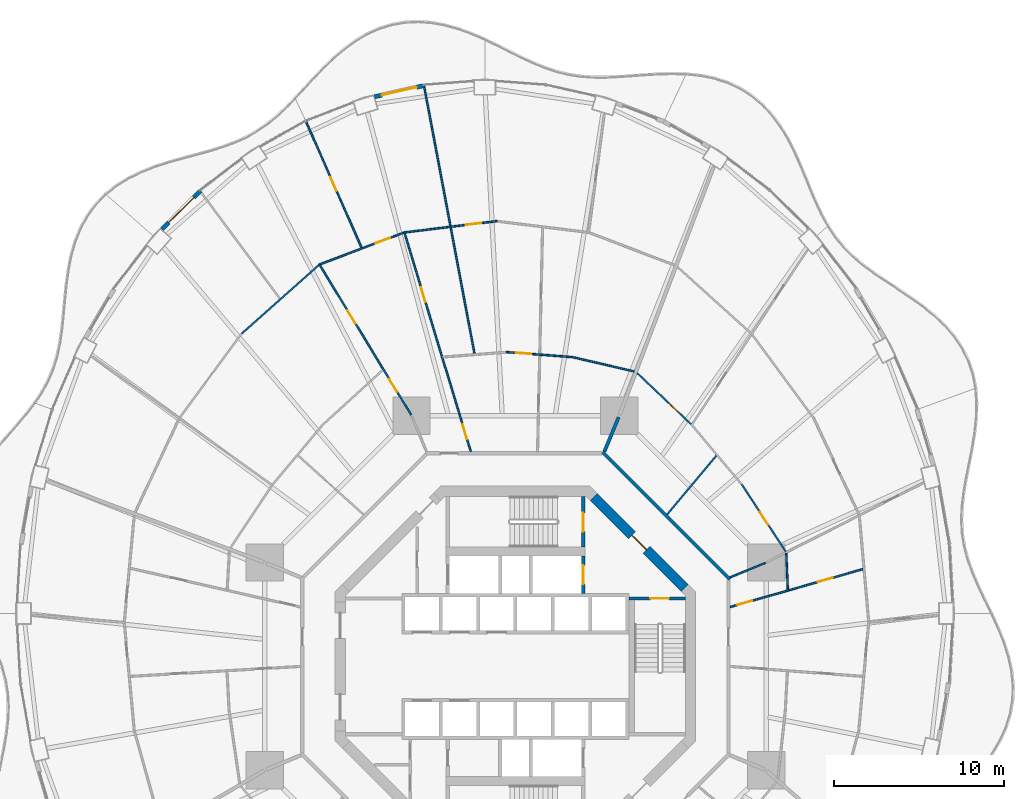
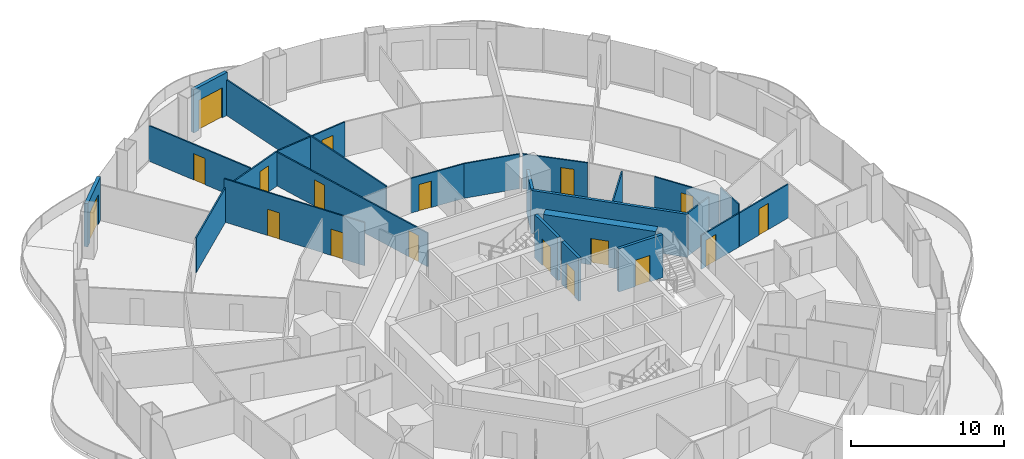
# One storey, part 18 of 22: 23 walls, 18 doors, 18 openings.
"""IFC4 building model written with IfcOpenShell, lengths in metres."""

from ifc_helpers import new_model, si_unit, direction, frame, frame_2d, origin, place, context, subcontext, project, spatial, rectangle, extrude, material, layer, layer_set, type_object, element, fill, save


model = new_model("IFC4")

# Units and contexts
model_context = context("Model", 3, precision=1e-05, world=origin(), true_north=direction((0.0, 1.0)))
body_context = subcontext(model_context, "Body", "Model", "MODEL_VIEW")
ifc_project = project(units=[si_unit("LENGTHUNIT", "METRE"), si_unit("AREAUNIT", "SQUARE_METRE"), si_unit("VOLUMEUNIT", "CUBIC_METRE"), si_unit("PLANEANGLEUNIT", "RADIAN"), si_unit("MASSUNIT", "GRAM", prefix="KILO")], contexts=[model_context])

# Site, building, storey
site_placement = place(None, origin())
site = spatial("IfcSite", under=ifc_project, at=site_placement, CompositionType="ELEMENT")
building_placement = place(site_placement, origin())
building = spatial("IfcBuilding", under=site, at=building_placement, Name="Nagisa Residences", CompositionType="ELEMENT")
storey_placement = place(building_placement, frame((0.0, 0.0, 84.39990234375)))
storey = spatial("IfcBuildingStorey", under=building, at=storey_placement, Name="L20", CompositionType="ELEMENT", Elevation=84.39990234375)

# Walls
ifc_material_1 = material(Name="Gypsum board on steel studs", Category="steel")
ifc_layer_1 = layer(ifc_material_1, 0.199951171875)
ifc_layer_set_1 = layer_set([ifc_layer_1], Name="Apartment compartment wall EI60 200")
wall_type_1 = type_object("IfcWallType", Name="Apartment compartment wall EI60 200", PredefinedType="PARTITIONING", material=ifc_layer_set_1)
wall_1_placement = place(storey_placement, frame((5.24267578125, 12.6572265625, 0.0), z_axis=(0.0, 0.0, 1.0), x_axis=(0.382724096228, 0.923862687939, 0.0)))
element("IfcWall", 1, at=wall_1_placement, inside=storey, type_object=wall_type_1, Name="wall:L20:u00", PredefinedType="PARTITIONING", context=body_context, shape_type="SweptSolid", body=[
    extrude(rectangle(XDim=2.20068359375, YDim=0.199951171875, at=frame_2d((1.100341796875, 0.0))), origin(), (0.0, 0.0, 1.0), 3.440185546875),
])
ifc_material_2 = material(Name="Gypsum board on steel studs", Category="steel")
ifc_layer_2 = layer(ifc_material_2, 0.199951171875)
ifc_layer_set_2 = layer_set([ifc_layer_2], Name="Apartment entry wall EI60 200")
wall_type_2 = type_object("IfcWallType", Name="Apartment entry wall EI60 200", PredefinedType="PARTITIONING", material=ifc_layer_set_2)
wall_2_placement = place(storey_placement, frame((12.635498046875, 5.1337890625, 0.0), z_axis=(0.0, 0.0, 1.0), x_axis=(-0.707106781187, 0.707106781187, 0.0)))
element("IfcWall", 2, at=wall_2_placement, inside=storey, type_object=wall_type_2, Name="wall:L20:u11", PredefinedType="PARTITIONING", context=body_context, shape_type="SweptSolid", body=[
    extrude(rectangle(XDim=10.609130859375, YDim=0.199951171875, at=frame_2d((5.3046875, 0.0))), origin(), (0.0, 0.0, 1.0), 3.440185546875),
])

# Wall, openings, doors
ifc_material_3 = material(Name="Gypsum board on steel studs", Category="steel")
ifc_layer_3 = layer(ifc_material_3, 0.10009765625)
ifc_layer_set_3 = layer_set([ifc_layer_3], Name="Apartment partition 100")
wall_type_3 = type_object("IfcWallType", Name="Apartment partition 100", PredefinedType="PARTITIONING", material=ifc_layer_set_3)
wall_3_placement = place(storey_placement, frame((12.660888671875, 3.4970703125, 0.0), z_axis=(0.0, 0.0, 1.0), x_axis=(0.961626678623, 0.274361314621, 0.0)))
wall_3 = element("IfcWall", 3, at=wall_3_placement, inside=storey, type_object=wall_type_3, Name="wall:L20:u21", PredefinedType="PARTITIONING", context=body_context, shape_type="SweptSolid", body=[
    extrude(rectangle(XDim=8.155517578125, YDim=0.10009765625, at=frame_2d((4.07763671875, 0.0))), origin(), (0.0, 0.0, 1.0), 2.68701171875),
])
opening_1_placement = place(wall_3_placement, frame((0.4462890625, 0.0, 0.0)))
opening_1 = element("IfcOpeningElement", 4, at=opening_1_placement, cuts=wall_3, Name="Opening L20-U46", PredefinedType="OPENING", context=body_context, shape_type="SweptSolid", body=[
    extrude(rectangle(XDim=0.89990234375, YDim=2.10009765625, at=frame_2d((0.449951171875, 1.050048828125))), frame((0.0, 0.06005859375, 0.0), z_axis=(0.0, -1.0, 0.0), x_axis=(1.0, 0.0, 0.0)), (0.0, 0.0, 1.0), 0.1201171875),
])
opening_2_placement = place(wall_3_placement, frame((5.39013671875, 0.0, 0.0)))
opening_2 = element("IfcOpeningElement", 5, at=opening_2_placement, cuts=wall_3, Name="Opening L20-U48", PredefinedType="OPENING", context=body_context, shape_type="SweptSolid", body=[
    extrude(rectangle(XDim=0.89990234375, YDim=2.10009765625, at=frame_2d((0.449951171875, 1.050048828125))), frame((0.0, 0.06005859375, 0.0), z_axis=(0.0, -1.0, 0.0), x_axis=(1.0, 0.0, 0.0)), (0.0, 0.0, 1.0), 0.1201171875),
])
ifc_material_4 = material(Name="Timber door set", Category="wood")
door_type_1 = type_object("IfcDoorType", Name="Apartment door 900x2100", OperationType="NOTDEFINED", PredefinedType="DOOR", material=ifc_material_4)
door_1_placement = place(opening_1_placement, origin())
door_1 = element("IfcDoor", 6, at=door_1_placement, inside=storey, type_object=door_type_1, Name="Door to family bathroom, Apartment 20E", OperationType="SINGLE_SWING_RIGHT", OverallHeight=2.10009765625, OverallWidth=0.89990234375, PredefinedType="DOOR", context=body_context, shape_type="SweptSolid", body=[
    extrude(rectangle(XDim=0.89990234375, YDim=2.10009765625, at=frame_2d((0.449951171875, 1.050048828125))), frame((0.0, 0.02490234375, 0.0), z_axis=(0.0, -1.0, 0.0), x_axis=(1.0, 0.0, 0.0)), (0.0, 0.0, 1.0), 0.050048828125),
])
fill(opening_1, door_1)
door_2_placement = place(opening_2_placement, origin())
door_2 = element("IfcDoor", 7, at=door_2_placement, inside=storey, type_object=door_type_1, Name="Door to family bathroom, Apartment 20E", OperationType="SINGLE_SWING_RIGHT", OverallHeight=2.10009765625, OverallWidth=0.89990234375, PredefinedType="DOOR", context=body_context, shape_type="SweptSolid", body=[
    extrude(rectangle(XDim=0.89990234375, YDim=2.10009765625, at=frame_2d((0.449951171875, 1.050048828125))), frame((0.0, 0.02490234375, 0.0), z_axis=(0.0, -1.0, 0.0), x_axis=(1.0, 0.0, 0.0)), (0.0, 0.0, 1.0), 0.050048828125),
])
fill(opening_2, door_2)

# Walls
wall_4_placement = place(storey_placement, frame((16.064453125, 4.4150390625, 0.0), z_axis=(0.0, 0.0, 1.0), x_axis=(-0.043118325477, 0.999069972528, 0.0)))
element("IfcWall", 8, at=wall_4_placement, inside=storey, type_object=wall_type_3, Name="wall:L20:u22", PredefinedType="PARTITIONING", context=body_context, shape_type="SweptSolid", body=[
    extrude(rectangle(XDim=2.25927734375, YDim=0.10009765625, at=frame_2d((1.129638671875, 0.0))), origin(), (0.0, 0.0, 1.0), 3.440185546875),
])
wall_5_placement = place(storey_placement, frame((12.6572265625, 5.24267578125, 0.0), z_axis=(0.0, 0.0, 1.0), x_axis=(0.923848837015, 0.382757529444, 0.0)))
element("IfcWall", 9, at=wall_5_placement, inside=storey, type_object=wall_type_3, Name="wall:L20:u23", PredefinedType="PARTITIONING", context=body_context, shape_type="SweptSolid", body=[
    extrude(rectangle(XDim=2.249755859375, YDim=0.10009765625, at=frame_2d((1.125, 0.0))), origin(), (0.0, 0.0, 1.0), 3.440185546875),
])

# Wall, opening, door
wall_6_placement = place(storey_placement, frame((15.9375, 6.763916015625, 0.0), z_axis=(0.0, 0.0, 1.0), x_axis=(-0.547472878942, 0.836823426311, 0.0)))
wall_6 = element("IfcWall", 10, at=wall_6_placement, inside=storey, type_object=wall_type_3, Name="wall:L20:u25", PredefinedType="PARTITIONING", context=body_context, shape_type="SweptSolid", body=[
    extrude(rectangle(XDim=4.73779296875, YDim=0.10009765625, at=frame_2d((2.368896484375, 0.0))), origin(), (0.0, 0.0, 1.0), 2.76220703125),
])
opening_3_placement = place(wall_6_placement, frame((1.893798828125, 0.0, 0.0)))
opening_3 = element("IfcOpeningElement", 11, at=opening_3_placement, cuts=wall_6, Name="Opening L20-U55", PredefinedType="OPENING", context=body_context, shape_type="SweptSolid", body=[
    extrude(rectangle(XDim=0.89990234375, YDim=2.10009765625, at=frame_2d((0.449951171875, 1.050048828125))), frame((0.0, 0.06005859375, 0.0), z_axis=(0.0, -1.0, 0.0), x_axis=(1.0, 0.0, 0.0)), (0.0, 0.0, 1.0), 0.1201171875),
])
door_3_placement = place(opening_3_placement, origin())
door_3 = element("IfcDoor", 12, at=door_3_placement, inside=storey, type_object=door_type_1, Name="Door to store, Apartment 20E", OperationType="SINGLE_SWING_LEFT", OverallHeight=2.10009765625, OverallWidth=0.89990234375, PredefinedType="DOOR", context=body_context, shape_type="SweptSolid", body=[
    extrude(rectangle(XDim=0.89990234375, YDim=2.10009765625, at=frame_2d((0.449951171875, 1.050048828125))), frame((0.0, 0.02490234375, 0.0), z_axis=(0.0, -1.0, 0.0), x_axis=(1.0, 0.0, 0.0)), (0.0, 0.0, 1.0), 0.050048828125),
])
fill(opening_3, door_3)

# Wall
wall_7_placement = place(storey_placement, frame((8.94873046875, 8.961181640625, 0.0), z_axis=(0.0, 0.0, 1.0), x_axis=(0.642048217601, 0.766664259162, 0.0)))
element("IfcWall", 13, at=wall_7_placement, inside=storey, type_object=wall_type_3, Name="wall:L20:u29", PredefinedType="PARTITIONING", context=body_context, shape_type="SweptSolid", body=[
    extrude(rectangle(XDim=4.517822265625, YDim=0.10009765625, at=frame_2d((2.2587890625, 0.0))), origin(), (0.0, 0.0, 1.0), 2.68701171875),
])

# Wall, opening, door
wall_8_placement = place(storey_placement, frame((10.35546875, 14.274169921875, 0.0), z_axis=(0.0, 0.0, 1.0), x_axis=(-0.725206433622, 0.688531501555, 0.0)))
wall_8 = element("IfcWall", 14, at=wall_8_placement, inside=storey, type_object=wall_type_3, Name="wall:L20:u31", PredefinedType="PARTITIONING", context=body_context, shape_type="SweptSolid", body=[
    extrude(rectangle(XDim=4.386962890625, YDim=0.10009765625, at=frame_2d((2.193359375, 0.0))), origin(), (0.0, 0.0, 1.0), 2.76220703125),
])
opening_4_placement = place(wall_8_placement, frame((0.907470703125, 0.0, 0.0)))
opening_4 = element("IfcOpeningElement", 15, at=opening_4_placement, cuts=wall_8, Name="Opening L20-U56", PredefinedType="OPENING", context=body_context, shape_type="SweptSolid", body=[
    extrude(rectangle(XDim=0.89990234375, YDim=2.10009765625, at=frame_2d((0.449951171875, 1.050048828125))), frame((0.0, 0.06005859375, 0.0), z_axis=(0.0, -1.0, 0.0), x_axis=(1.0, 0.0, 0.0)), (0.0, 0.0, 1.0), 0.1201171875),
])
door_4_placement = place(opening_4_placement, origin())
door_4 = element("IfcDoor", 16, at=door_4_placement, inside=storey, type_object=door_type_1, Name="Door to laundry, Apartment 20E", OperationType="SINGLE_SWING_RIGHT", OverallHeight=2.10009765625, OverallWidth=0.89990234375, PredefinedType="DOOR", context=body_context, shape_type="SweptSolid", body=[
    extrude(rectangle(XDim=0.89990234375, YDim=2.10009765625, at=frame_2d((0.449951171875, 1.050048828125))), frame((0.0, 0.02490234375, 0.0), z_axis=(0.0, -1.0, 0.0), x_axis=(1.0, 0.0, 0.0)), (0.0, 0.0, 1.0), 0.050048828125),
])
fill(opening_4, door_4)

# Wall
wall_9_placement = place(storey_placement, frame((7.004150390625, 17.385986328125, 0.0), z_axis=(0.0, 0.0, 1.0), x_axis=(-0.974179728512, 0.225773905837, 0.0)))
element("IfcWall", 17, at=wall_9_placement, inside=storey, type_object=wall_type_3, Name="wall:L20:u33", PredefinedType="PARTITIONING", context=body_context, shape_type="SweptSolid", body=[
    extrude(rectangle(XDim=3.802001953125, YDim=0.10009765625, at=frame_2d((1.90087890625, 0.0))), origin(), (0.0, 0.0, 1.0), 2.76220703125),
])

# Wall, opening, door
wall_10_placement = place(storey_placement, frame((3.299072265625, 18.23681640625, 0.0), z_axis=(0.0, 0.0, 1.0), x_axis=(-0.997152243414, 0.075414875552, 0.0)))
wall_10 = element("IfcWall", 18, at=wall_10_placement, inside=storey, type_object=wall_type_3, Name="wall:L20:u35", PredefinedType="PARTITIONING", context=body_context, shape_type="SweptSolid", body=[
    extrude(rectangle(XDim=3.845947265625, YDim=0.10009765625, at=frame_2d((1.9228515625, 0.0))), origin(), (0.0, 0.0, 1.0), 2.76220703125),
])
opening_5_placement = place(wall_10_placement, frame((2.384521484375, 0.0, 0.0)))
opening_5 = element("IfcOpeningElement", 19, at=opening_5_placement, cuts=wall_10, Name="Opening L20-U05", PredefinedType="OPENING", context=body_context, shape_type="SweptSolid", body=[
    extrude(rectangle(XDim=0.89990234375, YDim=2.10009765625, at=frame_2d((0.449951171875, 1.050048828125))), frame((0.0, 0.06005859375, 0.0), z_axis=(0.0, -1.0, 0.0), x_axis=(1.0, 0.0, 0.0)), (0.0, 0.0, 1.0), 0.1201171875),
])
door_5_placement = place(opening_5_placement, frame((0.89990234375, 0.0, 0.0), x_axis=(-1.0, 0.0, 0.0)))
door_5 = element("IfcDoor", 20, at=door_5_placement, inside=storey, type_object=door_type_1, Name="Door to kitchen, Apartment 20A", OperationType="SINGLE_SWING_RIGHT", OverallHeight=2.10009765625, OverallWidth=0.89990234375, PredefinedType="DOOR", context=body_context, shape_type="SweptSolid", body=[
    extrude(rectangle(XDim=0.89990234375, YDim=2.10009765625, at=frame_2d((0.449951171875, 1.050048828125))), frame((0.0, 0.02490234375, 0.0), z_axis=(0.0, -1.0, 0.0), x_axis=(1.0, 0.0, 0.0)), (0.0, 0.0, 1.0), 0.050048828125),
])
fill(opening_5, door_5)

wall_11_placement = place(storey_placement, frame((-1.06640625, 26.2529296875, 0.0), z_axis=(0.0, 0.0, 1.0), x_axis=(-0.992574853421, -0.121635358166, 0.0)))
wall_11 = element("IfcWall", 21, at=wall_11_placement, inside=storey, type_object=wall_type_3, Name="wall:L20:u40", PredefinedType="PARTITIONING", context=body_context, shape_type="SweptSolid", body=[
    extrude(rectangle(XDim=5.473388671875, YDim=0.10009765625, at=frame_2d((2.73681640625, 0.0))), origin(), (0.0, 0.0, 1.0), 2.76220703125),
])
opening_6_placement = place(wall_11_placement, frame((0.968505859375, 0.0, 0.0)))
opening_6 = element("IfcOpeningElement", 22, at=opening_6_placement, cuts=wall_11, Name="Opening L20-U09", PredefinedType="OPENING", context=body_context, shape_type="SweptSolid", body=[
    extrude(rectangle(XDim=0.89990234375, YDim=2.10009765625, at=frame_2d((0.449951171875, 1.050048828125))), frame((0.0, 0.06005859375, 0.0), z_axis=(0.0, -1.0, 0.0), x_axis=(1.0, 0.0, 0.0)), (0.0, 0.0, 1.0), 0.1201171875),
])
door_6_placement = place(opening_6_placement, frame((0.89990234375, 0.0, 0.0), x_axis=(-1.0, 0.0, 0.0)))
door_6 = element("IfcDoor", 23, at=door_6_placement, inside=storey, type_object=door_type_1, Name="Door to dining room, Apartment 20A", OperationType="SINGLE_SWING_RIGHT", OverallHeight=2.10009765625, OverallWidth=0.89990234375, PredefinedType="DOOR", context=body_context, shape_type="SweptSolid", body=[
    extrude(rectangle(XDim=0.89990234375, YDim=2.10009765625, at=frame_2d((0.449951171875, 1.050048828125))), frame((0.0, 0.02490234375, 0.0), z_axis=(0.0, -1.0, 0.0), x_axis=(1.0, 0.0, 0.0)), (0.0, 0.0, 1.0), 0.050048828125),
])
fill(opening_6, door_6)

# Wall
wall_12_placement = place(storey_placement, frame((-2.412841796875, 18.42724609375, 0.0), z_axis=(0.0, 0.0, 1.0), x_axis=(-0.185126823719, 0.982714637695, 0.0)))
element("IfcWall", 24, at=wall_12_placement, inside=storey, type_object=wall_type_3, Name="wall:L20:u41", PredefinedType="PARTITIONING", context=body_context, shape_type="SweptSolid", body=[
    extrude(rectangle(XDim=16.176025390625, YDim=0.10009765625, at=frame_2d((8.087890625, 0.0))), origin(), (0.0, 0.0, 1.0), 2.837158203125),
])

# Wall, openings, doors
wall_13_placement = place(storey_placement, frame((-2.63134765625, 12.660400390625, 0.0), z_axis=(0.0, 0.0, 1.0), x_axis=(-0.290161396499, 0.956977723869, 0.0)))
wall_13 = element("IfcWall", 25, at=wall_13_placement, inside=storey, type_object=wall_type_3, Name="wall:L20:u42", PredefinedType="PARTITIONING", context=body_context, shape_type="SweptSolid", body=[
    extrude(rectangle(XDim=13.551513671875, YDim=0.10009765625, at=frame_2d((6.77587890625, 0.0))), origin(), (0.0, 0.0, 1.0), 2.68701171875),
])
opening_7_placement = place(wall_13_placement, frame((0.772216796875, 0.0, 0.0)))
opening_7 = element("IfcOpeningElement", 26, at=opening_7_placement, cuts=wall_13, Name="Opening L20-U02", PredefinedType="OPENING", context=body_context, shape_type="SweptSolid", body=[
    extrude(rectangle(XDim=0.89990234375, YDim=2.10009765625, at=frame_2d((0.449951171875, 1.050048828125))), frame((0.0, 0.06005859375, 0.0), z_axis=(0.0, -1.0, 0.0), x_axis=(1.0, 0.0, 0.0)), (0.0, 0.0, 1.0), 0.1201171875),
])
opening_8_placement = place(wall_13_placement, frame((9.21240234375, 0.0, 0.0)))
opening_8 = element("IfcOpeningElement", 27, at=opening_8_placement, cuts=wall_13, Name="Opening L20-U06", PredefinedType="OPENING", context=body_context, shape_type="SweptSolid", body=[
    extrude(rectangle(XDim=0.89990234375, YDim=2.10009765625, at=frame_2d((0.449951171875, 1.050048828125))), frame((0.0, 0.06005859375, 0.0), z_axis=(0.0, -1.0, 0.0), x_axis=(1.0, 0.0, 0.0)), (0.0, 0.0, 1.0), 0.1201171875),
])
door_7_placement = place(opening_7_placement, frame((0.89990234375, 0.0, 0.0), x_axis=(-1.0, 0.0, 0.0)))
door_7 = element("IfcDoor", 28, at=door_7_placement, inside=storey, type_object=door_type_1, Name="Door to store, Apartment 20A", OperationType="SINGLE_SWING_LEFT", OverallHeight=2.10009765625, OverallWidth=0.89990234375, PredefinedType="DOOR", context=body_context, shape_type="SweptSolid", body=[
    extrude(rectangle(XDim=0.89990234375, YDim=2.10009765625, at=frame_2d((0.449951171875, 1.050048828125))), frame((0.0, 0.02490234375, 0.0), z_axis=(0.0, -1.0, 0.0), x_axis=(1.0, 0.0, 0.0)), (0.0, 0.0, 1.0), 0.050048828125),
])
fill(opening_7, door_7)
door_8_placement = place(opening_8_placement, frame((0.89990234375, 0.0, 0.0), x_axis=(-1.0, 0.0, 0.0)))
door_8 = element("IfcDoor", 29, at=door_8_placement, inside=storey, type_object=door_type_1, Name="Door to family bathroom, Apartment 20A", OperationType="SINGLE_SWING_LEFT", OverallHeight=2.10009765625, OverallWidth=0.89990234375, PredefinedType="DOOR", context=body_context, shape_type="SweptSolid", body=[
    extrude(rectangle(XDim=0.89990234375, YDim=2.10009765625, at=frame_2d((0.449951171875, 1.050048828125))), frame((0.0, 0.02490234375, 0.0), z_axis=(0.0, -1.0, 0.0), x_axis=(1.0, 0.0, 0.0)), (0.0, 0.0, 1.0), 0.050048828125),
])
fill(opening_8, door_8)

# Wall, opening, door
wall_14_placement = place(storey_placement, frame((-6.595703125, 25.5634765625, 0.0), z_axis=(0.0, 0.0, 1.0), x_axis=(-0.9356162121, -0.353018843201, 0.0)))
wall_14 = element("IfcWall", 30, at=wall_14_placement, inside=storey, type_object=wall_type_3, Name="wall:L20:u43", PredefinedType="PARTITIONING", context=body_context, shape_type="SweptSolid", body=[
    extrude(rectangle(XDim=5.2490234375, YDim=0.10009765625, at=frame_2d((2.62451171875, 0.0))), origin(), (0.0, 0.0, 1.0), 2.76220703125),
])
opening_9_placement = place(wall_14_placement, frame((0.8623046875, 0.0, 0.0)))
opening_9 = element("IfcOpeningElement", 31, at=opening_9_placement, cuts=wall_14, Name="Opening L20-U10", PredefinedType="OPENING", context=body_context, shape_type="SweptSolid", body=[
    extrude(rectangle(XDim=0.89990234375, YDim=2.10009765625, at=frame_2d((0.449951171875, 1.050048828125))), frame((0.0, 0.06005859375, 0.0), z_axis=(0.0, -1.0, 0.0), x_axis=(1.0, 0.0, 0.0)), (0.0, 0.0, 1.0), 0.1201171875),
])
door_9_placement = place(opening_9_placement, frame((0.89990234375, 0.0, 0.0), x_axis=(-1.0, 0.0, 0.0)))
door_9 = element("IfcDoor", 32, at=door_9_placement, inside=storey, type_object=door_type_1, Name="Door to living room, Apartment 20A", OperationType="SINGLE_SWING_LEFT", OverallHeight=2.10009765625, OverallWidth=0.89990234375, PredefinedType="DOOR", context=body_context, shape_type="SweptSolid", body=[
    extrude(rectangle(XDim=0.89990234375, YDim=2.10009765625, at=frame_2d((0.449951171875, 1.050048828125))), frame((0.0, 0.02490234375, 0.0), z_axis=(0.0, -1.0, 0.0), x_axis=(1.0, 0.0, 0.0)), (0.0, 0.0, 1.0), 0.050048828125),
])
fill(opening_9, door_9)

wall_15_placement = place(storey_placement, frame((-9.071533203125, 24.682861328125, 0.0), z_axis=(0.0, 0.0, 1.0), x_axis=(-0.403192911159, 0.915115007194, 0.0)))
wall_15 = element("IfcWall", 33, at=wall_15_placement, inside=storey, type_object=wall_type_3, Name="wall:L20:u44", PredefinedType="PARTITIONING", context=body_context, shape_type="SweptSolid", body=[
    extrude(rectangle(XDim=8.21142578125, YDim=0.10009765625, at=frame_2d((4.105712890625, 0.0))), origin(), (0.0, 0.0, 1.0), 2.837158203125),
])
opening_10_placement = place(wall_15_placement, frame((3.65576171875, 0.0, 0.0)))
opening_10 = element("IfcOpeningElement", 34, at=opening_10_placement, cuts=wall_15, Name="Opening L20-U11", PredefinedType="OPENING", context=body_context, shape_type="SweptSolid", body=[
    extrude(rectangle(XDim=0.89990234375, YDim=2.10009765625, at=frame_2d((0.449951171875, 1.050048828125))), frame((0.0, 0.06005859375, 0.0), z_axis=(0.0, -1.0, 0.0), x_axis=(1.0, 0.0, 0.0)), (0.0, 0.0, 1.0), 0.1201171875),
])
door_10_placement = place(opening_10_placement, origin())
door_10 = element("IfcDoor", 35, at=door_10_placement, inside=storey, type_object=door_type_1, Name="Door to master bedroom, Apartment 20A", OperationType="SINGLE_SWING_LEFT", OverallHeight=2.10009765625, OverallWidth=0.89990234375, PredefinedType="DOOR", context=body_context, shape_type="SweptSolid", body=[
    extrude(rectangle(XDim=0.89990234375, YDim=2.10009765625, at=frame_2d((0.449951171875, 1.050048828125))), frame((0.0, 0.02490234375, 0.0), z_axis=(0.0, -1.0, 0.0), x_axis=(1.0, 0.0, 0.0)), (0.0, 0.0, 1.0), 0.050048828125),
])
fill(opening_10, door_10)

# Wall, openings, doors
wall_16_placement = place(storey_placement, frame((-6.14892578125, 14.82470703125, 0.0), z_axis=(0.0, 0.0, 1.0), x_axis=(-0.520411490252, 0.853915616917, 0.0)))
wall_16 = element("IfcWall", 36, at=wall_16_placement, inside=storey, type_object=wall_type_3, Name="wall:L20:u46", PredefinedType="PARTITIONING", context=body_context, shape_type="SweptSolid", body=[
    extrude(rectangle(XDim=10.435302734375, YDim=0.10009765625, at=frame_2d((5.2177734375, 0.0))), origin(), (0.0, 0.0, 1.0), 3.440185546875),
])
opening_11_placement = place(wall_16_placement, frame((1.58154296875, 0.0, 0.0)))
opening_11 = element("IfcOpeningElement", 37, at=opening_11_placement, cuts=wall_16, Name="Opening L20-U03", PredefinedType="OPENING", context=body_context, shape_type="SweptSolid", body=[
    extrude(rectangle(XDim=0.89990234375, YDim=2.10009765625, at=frame_2d((0.449951171875, 1.050048828125))), frame((0.0, 0.06005859375, 0.0), z_axis=(0.0, -1.0, 0.0), x_axis=(1.0, 0.0, 0.0)), (0.0, 0.0, 1.0), 0.1201171875),
])
opening_12_placement = place(wall_16_placement, frame((6.3125, 0.0, 0.0)))
opening_12 = element("IfcOpeningElement", 38, at=opening_12_placement, cuts=wall_16, Name="Opening L20-U07", PredefinedType="OPENING", context=body_context, shape_type="SweptSolid", body=[
    extrude(rectangle(XDim=0.89990234375, YDim=2.10009765625, at=frame_2d((0.449951171875, 1.050048828125))), frame((0.0, 0.06005859375, 0.0), z_axis=(0.0, -1.0, 0.0), x_axis=(1.0, 0.0, 0.0)), (0.0, 0.0, 1.0), 0.1201171875),
])
door_11_placement = place(opening_11_placement, origin())
door_11 = element("IfcDoor", 39, at=door_11_placement, inside=storey, type_object=door_type_1, Name="Door to store, Apartment 20A", OperationType="SINGLE_SWING_LEFT", OverallHeight=2.10009765625, OverallWidth=0.89990234375, PredefinedType="DOOR", context=body_context, shape_type="SweptSolid", body=[
    extrude(rectangle(XDim=0.89990234375, YDim=2.10009765625, at=frame_2d((0.449951171875, 1.050048828125))), frame((0.0, 0.02490234375, 0.0), z_axis=(0.0, -1.0, 0.0), x_axis=(1.0, 0.0, 0.0)), (0.0, 0.0, 1.0), 0.050048828125),
])
fill(opening_11, door_11)
door_12_placement = place(opening_12_placement, origin())
door_12 = element("IfcDoor", 40, at=door_12_placement, inside=storey, type_object=door_type_1, Name="Door to dining room, Apartment 20A", OperationType="SINGLE_SWING_LEFT", OverallHeight=2.10009765625, OverallWidth=0.89990234375, PredefinedType="DOOR", context=body_context, shape_type="SweptSolid", body=[
    extrude(rectangle(XDim=0.89990234375, YDim=2.10009765625, at=frame_2d((0.449951171875, 1.050048828125))), frame((0.0, 0.02490234375, 0.0), z_axis=(0.0, -1.0, 0.0), x_axis=(1.0, 0.0, 0.0)), (0.0, 0.0, 1.0), 0.050048828125),
])
fill(opening_12, door_12)

# Wall
wall_17_placement = place(storey_placement, frame((-11.5908203125, 23.65966796875, 0.0), z_axis=(0.0, 0.0, 1.0), x_axis=(-0.747429278403, -0.664341383466, 0.0)))
element("IfcWall", 41, at=wall_17_placement, inside=storey, type_object=wall_type_3, Name="wall:L20:u48", PredefinedType="PARTITIONING", context=body_context, shape_type="SweptSolid", body=[
    extrude(rectangle(XDim=6.073486328125, YDim=0.10009765625, at=frame_2d((3.03662109375, 0.0))), origin(), (0.0, 0.0, 1.0), 2.76220703125),
])

# Wall, opening, door
ifc_material_5 = material(Name="Precast concrete C40/50", Category="concrete")
ifc_layer_4 = layer(ifc_material_5, 0.25)
ifc_layer_set_4 = layer_set([ifc_layer_4], Name="BALCONY DOOR WALL 250")
wall_type_4 = type_object("IfcWallType", Name="BALCONY DOOR WALL 250", PredefinedType="SOLIDWALL", material=ifc_layer_set_4)
wall_18_placement = place(storey_placement, frame((-8.306396484375, 33.580322265625, 0.0), z_axis=(0.0, 0.0, 1.0), x_axis=(0.975317607872, 0.220806620767, 0.0)))
wall_18 = element("IfcWall", 42, at=wall_18_placement, inside=storey, type_object=wall_type_4, Name="wall:L20:bay13", PredefinedType="SOLIDWALL", context=body_context, shape_type="SweptSolid", body=[
    extrude(rectangle(XDim=2.9931640625, YDim=0.25, at=frame_2d((1.49658203125, 0.0))), origin(), (0.0, 0.0, 1.0), 3.440185546875),
])
opening_13_placement = place(wall_18_placement, frame((0.446533203125, 0.0, 0.0)))
opening_13 = element("IfcOpeningElement", 43, at=opening_13_placement, cuts=wall_18, Name="Opening BD-L20-05", PredefinedType="OPENING", context=body_context, shape_type="SweptSolid", body=[
    extrude(rectangle(XDim=2.10009765625, YDim=2.39990234375, at=frame_2d((1.050048828125, 1.199951171875))), frame((0.0, 0.135009765625, 0.0), z_axis=(0.0, -1.0, 0.0), x_axis=(1.0, 0.0, 0.0)), (0.0, 0.0, 1.0), 0.27001953125),
])
ifc_material_6 = material(Name="Aluminium and clear glass", Category="aluminium")
door_type_2 = type_object("IfcDoorType", Name="BALCONY SLIDING DOOR 2100x2400", OperationType="SLIDING_TO_LEFT", PredefinedType="DOOR", material=ifc_material_6)
door_13_placement = place(opening_13_placement, origin())
door_13 = element("IfcDoor", 44, at=door_13_placement, inside=storey, type_object=door_type_2, Name="door:L20:bay13", OperationType="SLIDING_TO_LEFT", OverallHeight=2.39990234375, OverallWidth=2.10009765625, PredefinedType="DOOR", context=body_context, shape_type="SweptSolid", body=[
    extrude(rectangle(XDim=2.10009765625, YDim=2.39990234375, at=frame_2d((1.050048828125, 1.199951171875))), frame((0.0, 0.02490234375, 0.0), z_axis=(0.0, -1.0, 0.0), x_axis=(1.0, 0.0, 0.0)), (0.0, 0.0, 1.0), 0.050048828125),
])
fill(opening_13, door_13)

wall_19_placement = place(storey_placement, frame((-20.8349609375, 25.772705078125, 0.0), z_axis=(0.0, 0.0, 1.0), x_axis=(0.707831646613, 0.706381171927, 0.0)))
wall_19 = element("IfcWall", 45, at=wall_19_placement, inside=storey, type_object=wall_type_4, Name="wall:L20:bay17", PredefinedType="SOLIDWALL", context=body_context, shape_type="SweptSolid", body=[
    extrude(rectangle(XDim=3.197998046875, YDim=0.25, at=frame_2d((1.59912109375, 0.0))), origin(), (0.0, 0.0, 1.0), 3.440185546875),
])
opening_14_placement = place(wall_19_placement, frame((0.548828125, 0.0, 0.0)))
opening_14 = element("IfcOpeningElement", 46, at=opening_14_placement, cuts=wall_19, Name="Opening BD-L20-06", PredefinedType="OPENING", context=body_context, shape_type="SweptSolid", body=[
    extrude(rectangle(XDim=2.10009765625, YDim=2.39990234375, at=frame_2d((1.050048828125, 1.199951171875))), frame((0.0, 0.135009765625, 0.0), z_axis=(0.0, -1.0, 0.0), x_axis=(1.0, 0.0, 0.0)), (0.0, 0.0, 1.0), 0.27001953125),
])
door_14_placement = place(opening_14_placement, origin())
door_14 = element("IfcDoor", 47, at=door_14_placement, inside=storey, type_object=door_type_2, Name="door:L20:bay17", OperationType="SLIDING_TO_LEFT", OverallHeight=2.39990234375, OverallWidth=2.10009765625, PredefinedType="DOOR", context=body_context, shape_type="SweptSolid", body=[
    extrude(rectangle(XDim=2.10009765625, YDim=2.39990234375, at=frame_2d((1.050048828125, 1.199951171875))), frame((0.0, 0.02490234375, 0.0), z_axis=(0.0, -1.0, 0.0), x_axis=(1.0, 0.0, 0.0)), (0.0, 0.0, 1.0), 0.050048828125),
])
fill(opening_14, door_14)

ifc_material_7 = material(Name="Concrete C60", Category="concrete")
ifc_layer_5 = layer(ifc_material_7, 0.60009765625)
ifc_layer_set_5 = layer_set([ifc_layer_5], Name="Core shear wall 600")
wall_type_5 = type_object("IfcWallType", Name="Core shear wall 600", PredefinedType="SHEAR", material=ifc_layer_set_5)
wall_20_placement = place(storey_placement, frame((9.98828125, 4.613037109375, 0.0), z_axis=(0.0, 0.0, 1.0), x_axis=(-0.707106781187, 0.707106781187, 0.0)))
wall_20 = element("IfcWall", 48, at=wall_20_placement, inside=storey, type_object=wall_type_5, Name="wall:L20:core:flat1", PredefinedType="SHEAR", context=body_context, shape_type="SweptSolid", body=[
    extrude(rectangle(XDim=7.601806640625, YDim=0.60009765625, at=frame_2d((3.80078125, 0.0))), origin(), (0.0, 0.0, 1.0), 3.440185546875),
])
opening_15_placement = place(wall_20_placement, frame((3.200927734375, 0.0, 0.0)))
opening_15 = element("IfcOpeningElement", 49, at=opening_15_placement, cuts=wall_20, Name="Opening L20-C16", PredefinedType="OPENING", context=body_context, shape_type="SweptSolid", body=[
    extrude(rectangle(XDim=1.199951171875, YDim=2.10009765625, at=frame_2d((0.60009765625, 1.050048828125))), frame((0.0, 0.31005859375, 0.0), z_axis=(0.0, -1.0, 0.0), x_axis=(1.0, 0.0, 0.0)), (0.0, 0.0, 1.0), 0.6201171875),
])
ifc_material_8 = material(Name="Steel fire door", Category="steel")
door_type_3 = type_object("IfcDoorType", Name="Fire door EI60 1200x2100 single swing", OperationType="NOTDEFINED", PredefinedType="DOOR", material=ifc_material_8)
door_15_placement = place(opening_15_placement, origin())
door_15 = element("IfcDoor", 50, at=door_15_placement, inside=storey, type_object=door_type_3, Name="Firefighting lobby 1 door L20", OperationType="SINGLE_SWING_LEFT", OverallHeight=2.10009765625, OverallWidth=1.199951171875, PredefinedType="DOOR", context=body_context, shape_type="SweptSolid", body=[
    extrude(rectangle(XDim=1.199951171875, YDim=2.10009765625, at=frame_2d((0.60009765625, 1.050048828125))), frame((0.0, 0.02490234375, 0.0), z_axis=(0.0, -1.0, 0.0), x_axis=(1.0, 0.0, 0.0)), (0.0, 0.0, 1.0), 0.050048828125),
])
fill(opening_15, door_15)

ifc_material_9 = material(Name="Concrete C60", Category="concrete")
ifc_layer_6 = layer(ifc_material_9, 0.199951171875)
ifc_layer_set_6 = layer_set([ifc_layer_6], Name="Lift shaft wall 200")
wall_type_6 = type_object("IfcWallType", Name="Lift shaft wall 200", PredefinedType="SOLIDWALL", material=ifc_layer_set_6)
wall_21_placement = place(storey_placement, frame((4.0, 4.300048828125, 0.0), z_axis=(0.0, 0.0, 1.0), x_axis=(0.0, 1.0, 0.0)))
wall_21 = element("IfcWall", 51, at=wall_21_placement, inside=storey, type_object=wall_type_6, Name="wall:L20:Nb3", PredefinedType="SOLIDWALL", context=body_context, shape_type="SweptSolid", body=[
    extrude(rectangle(XDim=2.199951171875, YDim=0.199951171875, at=frame_2d((1.10009765625, 0.0))), origin(), (0.0, 0.0, 1.0), 3.440185546875),
])
opening_16_placement = place(wall_21_placement, frame((0.550048828125, 0.0, 0.0)))
opening_16 = element("IfcOpeningElement", 52, at=opening_16_placement, cuts=wall_21, Name="Opening L20-C06", PredefinedType="OPENING", context=body_context, shape_type="SweptSolid", body=[
    extrude(rectangle(XDim=1.10009765625, YDim=2.10009765625, at=frame_2d((0.550048828125, 1.050048828125))), frame((0.0, 0.10986328125, 0.0), z_axis=(0.0, -1.0, 0.0), x_axis=(1.0, 0.0, 0.0)), (0.0, 0.0, 1.0), 0.219970703125),
])
ifc_material_10 = material(Name="Stainless steel", Category="steel")
door_type_4 = type_object("IfcDoorType", Name="Lift landing door 1100x2100", OperationType="DOUBLE_DOOR_SLIDING", PredefinedType="DOOR", material=ifc_material_10)
door_16_placement = place(opening_16_placement, origin())
door_16 = element("IfcDoor", 53, at=door_16_placement, inside=storey, type_object=door_type_4, Name="Landing door FL1 L20", OperationType="DOUBLE_DOOR_SLIDING", OverallHeight=2.10009765625, OverallWidth=1.10009765625, PredefinedType="DOOR", context=body_context, shape_type="SweptSolid", body=[
    extrude(rectangle(XDim=1.10009765625, YDim=2.10009765625, at=frame_2d((0.550048828125, 1.050048828125))), frame((0.0, 0.02490234375, 0.0), z_axis=(0.0, -1.0, 0.0), x_axis=(1.0, 0.0, 0.0)), (0.0, 0.0, 1.0), 0.050048828125),
])
fill(opening_16, door_16)

ifc_material_11 = material(Name="Concrete C60", Category="concrete")
ifc_layer_7 = layer(ifc_material_11, 0.199951171875)
ifc_layer_set_7 = layer_set([ifc_layer_7], Name="Stair enclosure wall 200")
wall_type_7 = type_object("IfcWallType", Name="Stair enclosure wall 200", PredefinedType="SOLIDWALL", material=ifc_layer_set_7)
wall_22_placement = place(storey_placement, frame((6.699951171875, 4.0, 0.0), z_axis=(0.0, 0.0, 1.0), x_axis=(1.0, 0.0, 0.0)))
wall_22 = element("IfcWall", 54, at=wall_22_placement, inside=storey, type_object=wall_type_7, Name="wall:L20:SE_n", PredefinedType="SOLIDWALL", context=body_context, shape_type="SweptSolid", body=[
    extrude(rectangle(XDim=3.32470703125, YDim=0.199951171875, at=frame_2d((1.662353515625, 0.0))), origin(), (0.0, 0.0, 1.0), 3.440185546875),
])
opening_17_placement = place(wall_22_placement, frame((1.25, 0.0, 0.0)))
opening_17 = element("IfcOpeningElement", 55, at=opening_17_placement, cuts=wall_22, Name="Opening L20-C09", PredefinedType="OPENING", context=body_context, shape_type="SweptSolid", body=[
    extrude(rectangle(XDim=1.10009765625, YDim=2.10009765625, at=frame_2d((0.550048828125, 1.050048828125))), frame((0.0, 0.10986328125, 0.0), z_axis=(0.0, -1.0, 0.0), x_axis=(1.0, 0.0, 0.0)), (0.0, 0.0, 1.0), 0.219970703125),
])
ifc_material_12 = material(Name="Steel fire door", Category="steel")
door_type_5 = type_object("IfcDoorType", Name="Fire door EI90 1100x2100 single swing", OperationType="NOTDEFINED", PredefinedType="DOOR", material=ifc_material_12)
door_17_placement = place(opening_17_placement, frame((1.10009765625, 0.0, 0.0), x_axis=(-1.0, 0.0, 0.0)))
door_17 = element("IfcDoor", 56, at=door_17_placement, inside=storey, type_object=door_type_5, Name="Stair door ST-E L20", OperationType="SINGLE_SWING_LEFT", OverallHeight=2.10009765625, OverallWidth=1.10009765625, PredefinedType="DOOR", context=body_context, shape_type="SweptSolid", body=[
    extrude(rectangle(XDim=1.10009765625, YDim=2.10009765625, at=frame_2d((0.550048828125, 1.050048828125))), frame((0.0, 0.02490234375, 0.0), z_axis=(0.0, -1.0, 0.0), x_axis=(1.0, 0.0, 0.0)), (0.0, 0.0, 1.0), 0.050048828125),
])
fill(opening_17, door_17)

wall_23_placement = place(storey_placement, frame((4.0, 7.024658203125, 0.0), z_axis=(0.0, 0.0, 1.0), x_axis=(0.0, 1.0, 0.0)))
wall_23 = element("IfcWall", 57, at=wall_23_placement, inside=storey, type_object=wall_type_7, Name="wall:L20:SN_e", PredefinedType="SOLIDWALL", context=body_context, shape_type="SweptSolid", body=[
    extrude(rectangle(XDim=3.0, YDim=0.199951171875, at=frame_2d((1.5, 0.0))), origin(), (0.0, 0.0, 1.0), 3.440185546875),
])
opening_18_placement = place(wall_23_placement, frame((0.92529296875, 0.0, 0.0)))
opening_18 = element("IfcOpeningElement", 58, at=opening_18_placement, cuts=wall_23, Name="Opening L20-C10", PredefinedType="OPENING", context=body_context, shape_type="SweptSolid", body=[
    extrude(rectangle(XDim=1.10009765625, YDim=2.10009765625, at=frame_2d((0.550048828125, 1.050048828125))), frame((0.0, 0.10986328125, 0.0), z_axis=(0.0, -1.0, 0.0), x_axis=(1.0, 0.0, 0.0)), (0.0, 0.0, 1.0), 0.219970703125),
])
door_18_placement = place(opening_18_placement, origin())
door_18 = element("IfcDoor", 59, at=door_18_placement, inside=storey, type_object=door_type_5, Name="Stair door ST-N L20", OperationType="SINGLE_SWING_RIGHT", OverallHeight=2.10009765625, OverallWidth=1.10009765625, PredefinedType="DOOR", context=body_context, shape_type="SweptSolid", body=[
    extrude(rectangle(XDim=1.10009765625, YDim=2.10009765625, at=frame_2d((0.550048828125, 1.050048828125))), frame((0.0, 0.02490234375, 0.0), z_axis=(0.0, -1.0, 0.0), x_axis=(1.0, 0.0, 0.0)), (0.0, 0.0, 1.0), 0.050048828125),
])
fill(opening_18, door_18)

save(model, "model.ifc")
